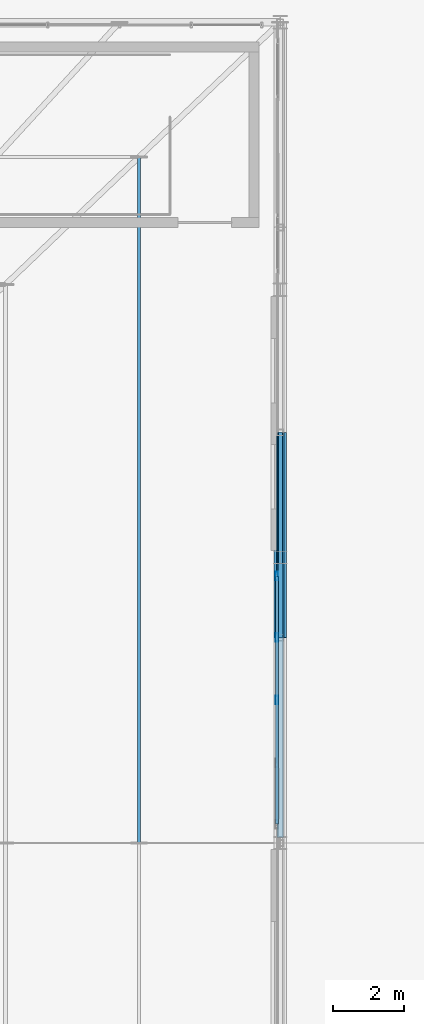
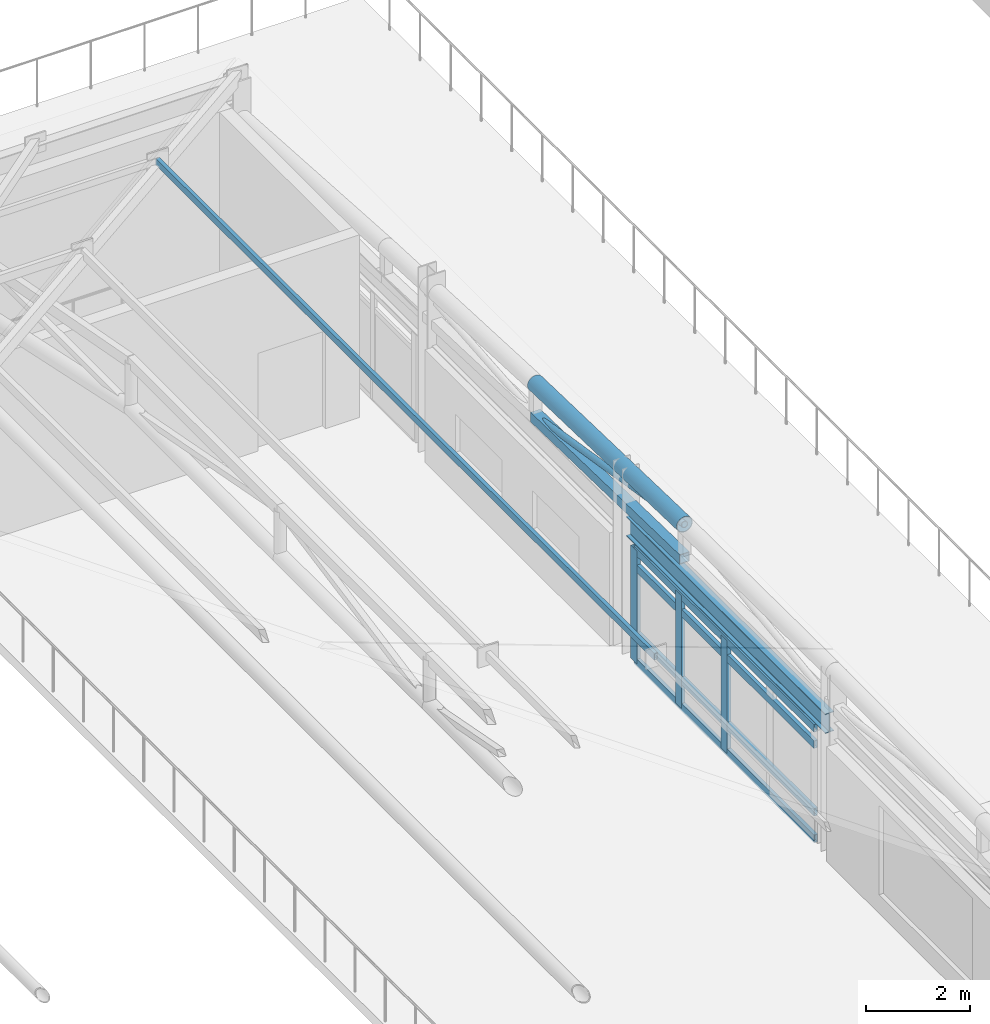
# One storey, part 63 of 168: 10 members, 2 beams, 1 element without a shape of its own.
"""IFC4 building model written with IfcOpenShell, lengths in metres."""

import ifcopenshell
import ifcopenshell.guid

model = None  # the IFC model being written
_history = None  # IfcOwnerHistory: only IFC2X3 demands one
_inside = {}  # id of a spatial element -> (the spatial element, [elements in it])
_under = {}  # id of a project, library or spatial element -> (it, [spatial elements below it])
_declared = {}  # id of a project -> (the project, [libraries it declares])
_typed = {}  # id of a type object -> (the type object, [elements of that type])
_made_of = {}  # id of a material, layer set ... -> (it, [elements and type objects made of it])


def new_model(schema):
    """Start an empty IFC model of exactly this schema.

    Asked for "IFC4X3", IfcOpenShell would pick the latest addendum, in which some entities
    have other attributes; the version numbers below select the first issue.
    IFC2X3 requires an IfcOwnerHistory on every rooted entity: one is made here for all.
    """
    global model, _history
    if schema == "IFC4X3":
        model = ifcopenshell.file(schema_version=(4, 3, 0, 0))
    else:
        model = ifcopenshell.file(schema=schema)
    _inside.clear()
    _under.clear()
    _declared.clear()
    _typed.clear()
    _made_of.clear()
    _history = None
    if model.schema == "IFC2X3":
        org = make("IfcOrganization", Name="unknown")
        user = make(
            "IfcPersonAndOrganization",
            ThePerson=make("IfcPerson", FamilyName="unknown"),
            TheOrganization=org,
        )
        app = make(
            "IfcApplication",
            ApplicationDeveloper=org,
            Version="unknown",
            ApplicationFullName="unknown",
            ApplicationIdentifier="unknown",
        )
        _history = make(
            "IfcOwnerHistory",
            OwningUser=user,
            OwningApplication=app,
            ChangeAction="ADDED",
            CreationDate=0,
        )
    return model


def make(cls, **values):
    """One entity of the class cls with the attributes given. An attribute that is None is left unset."""
    return model.create_entity(
        cls, **{name: value for name, value in values.items() if value is not None}
    )


def rooted(cls, **values):
    """An entity with a GlobalId (a new one), such as an element, a storey or a relation."""
    return make(cls, GlobalId=ifcopenshell.guid.new(), OwnerHistory=_history, **values)


def si_unit(unit_type, name, prefix=None):
    """IfcSIUnit, for example si_unit("LENGTHUNIT", "METRE", prefix="MILLI")."""
    return make("IfcSIUnit", UnitType=unit_type, Prefix=prefix, Name=name)


def assignment(units):
    """IfcUnitAssignment: the units of a project."""
    return None if units is None else make("IfcUnitAssignment", Units=units)


def point(xyz):
    """IfcCartesianPoint."""
    return None if xyz is None else make("IfcCartesianPoint", Coordinates=xyz)


def direction(xyz):
    """IfcDirection."""
    return None if xyz is None else make("IfcDirection", DirectionRatios=xyz)


def frame(location, z_axis=None, x_axis=None):
    """IfcAxis2Placement3D, a coordinate frame: its origin and axes. An axis left out is left unset."""
    return make(
        "IfcAxis2Placement3D",
        Location=point(location),
        Axis=direction(z_axis),
        RefDirection=direction(x_axis),
    )


def frame_2d(location, x_axis=None):
    """IfcAxis2Placement2D, a coordinate frame in the plane: its origin and x axis."""
    return make(
        "IfcAxis2Placement2D", Location=point(location), RefDirection=direction(x_axis)
    )


def origin():
    """The frame at (0, 0, 0) with its axes left unset."""
    return frame((0.0, 0.0, 0.0))


def origin_2d():
    """The frame at (0, 0) in the plane with its x axis left unset."""
    return frame_2d((0.0, 0.0))


def place(relative_to, where):
    """IfcLocalPlacement: puts the frame where relative to a parent placement (None: the world)."""
    return make(
        "IfcLocalPlacement", PlacementRelTo=relative_to, RelativePlacement=where
    )


def context(
    kind, dimensions, precision=None, world=None, true_north=None, identifier=None
):
    """IfcGeometricRepresentationContext, for example the 3D "Model" context."""
    return make(
        "IfcGeometricRepresentationContext",
        ContextIdentifier=identifier,
        ContextType=kind,
        CoordinateSpaceDimension=dimensions,
        Precision=precision,
        WorldCoordinateSystem=world,
        TrueNorth=true_north,
    )


def subcontext(parent, identifier, kind, view, scale=None):
    """IfcGeometricRepresentationSubContext, for example "Body" below "Model"."""
    return make(
        "IfcGeometricRepresentationSubContext",
        ContextIdentifier=identifier,
        ContextType=kind,
        ParentContext=parent,
        TargetScale=scale,
        TargetView=view,
    )


def project(units=None, contexts=None):
    """IfcProject with its units and contexts."""
    return rooted(
        "IfcProject",
        Name="project",
        RepresentationContexts=contexts,
        UnitsInContext=assignment(units),
    )


def spatial(cls, under=None, at=None, **own):
    """A site, building, storey or space (cls), placed at a placement, below another one or the project."""
    s = rooted(cls, ObjectPlacement=at, **own)
    if under is not None:
        _under.setdefault(under.id(), (under, []))[1].append(s)
    return s


def profile(cls, at=None, kind="AREA", **sizes):
    """A parametric profile (cls). Its sizes go by their IFC names, for example OverallWidth=200.0."""
    return make(cls, ProfileType=kind, Position=at, **sizes)


def hollow_rectangle(**sizes):
    """IfcRectangleHollowProfileDef."""
    return profile("IfcRectangleHollowProfileDef", **sizes)


def hollow_circle(**sizes):
    """IfcCircleHollowProfileDef."""
    return profile("IfcCircleHollowProfileDef", **sizes)


def i_section(**sizes):
    """IfcIShapeProfileDef."""
    return profile("IfcIShapeProfileDef", **sizes)


def extrude(swept, where, along, depth):
    """IfcExtrudedAreaSolid: the profile swept, set in the frame where, extruded along a direction by depth."""
    return make(
        "IfcExtrudedAreaSolid",
        SweptArea=swept,
        Position=where,
        ExtrudedDirection=direction(along),
        Depth=depth,
    )


def shape(context_of_items, identifier, shape_type, items):
    """IfcShapeRepresentation: the items that make up one representation, for example the "Body"."""
    return make(
        "IfcShapeRepresentation",
        ContextOfItems=context_of_items,
        RepresentationIdentifier=identifier,
        RepresentationType=shape_type,
        Items=items,
    )


def material(Name=None, Category=None):
    """IfcMaterial."""
    return make("IfcMaterial", Name=Name, Category=Category)


def material_profile(
    of_material, cross_section, Name=None, Category=None, Priority=None
):
    """IfcMaterialProfile: a cross section and its material."""
    return make(
        "IfcMaterialProfile",
        Name=Name,
        Material=of_material,
        Profile=cross_section,
        Priority=Priority,
        Category=Category,
    )


def profile_set(profiles, Name=None, composite=None):
    """IfcMaterialProfileSet."""
    return make(
        "IfcMaterialProfileSet",
        Name=Name,
        MaterialProfiles=profiles,
        CompositeProfile=composite,
    )


def made_of(thing, what):
    """Note that an element or type object is made of a material, layer set ...; save() writes the relation."""
    if what is not None:
        _made_of.setdefault(what.id(), (what, []))[1].append(thing)
    return thing


def type_object(cls, material=None, **own):
    """A type object (cls), such as IfcWallType, which elements share."""
    return made_of(rooted(cls, **own), material)


def element(
    cls,
    number,
    at=None,
    inside=None,
    cuts=None,
    type_object=None,
    material=None,
    context=None,
    identifier="Body",
    shape_type=None,
    held_by="IfcProductDefinitionShape",
    body=None,
    shapes=None,
    **own,
):
    """One element of the class cls, such as IfcWall. Its Tag is "e" and its number.

    at: its placement. inside: the storey or other place that contains it. cuts: it is an
    opening in that element (IfcRelVoidsElement). A single representation is given by context,
    identifier, shape_type and body (its items); several are given by shapes. held_by: the class
    of the entity that holds the representations. save() writes the other relations.
    """
    e = rooted(cls, Tag="e%d" % number, ObjectPlacement=at, **own)
    if body is not None:
        shapes = [shape(context, identifier, shape_type, body)]
    if shapes is not None:
        e.Representation = make(held_by, Representations=shapes)
    if inside is not None:
        _inside.setdefault(inside.id(), (inside, []))[1].append(e)
    if cuts is not None:
        rooted(
            "IfcRelVoidsElement", RelatingBuildingElement=cuts, RelatedOpeningElement=e
        )
    if type_object is not None:
        _typed.setdefault(type_object.id(), (type_object, []))[1].append(e)
    return made_of(e, material)


def aggregate(whole, parts):
    """IfcRelAggregates: a whole, such as a stair, and the parts it consists of."""
    return rooted("IfcRelAggregates", RelatingObject=whole, RelatedObjects=parts)


def save(model, path):
    """Write the relations noted so far, then the file.

    IfcRelAggregates (storeys below a building ...), IfcRelContainedInSpatialStructure (elements
    in a storey), IfcRelDefinesByType, IfcRelAssociatesMaterial and IfcRelDeclares: one each for
    every whole, place, type object, material and project.
    """
    for whole, parts in _under.values():
        aggregate(whole, parts)
    for where, things in _inside.values():
        rooted(
            "IfcRelContainedInSpatialStructure",
            RelatedElements=things,
            RelatingStructure=where,
        )
    for kind, things in _typed.values():
        rooted("IfcRelDefinesByType", RelatedObjects=things, RelatingType=kind)
    for what, things in _made_of.values():
        rooted("IfcRelAssociatesMaterial", RelatedObjects=things, RelatingMaterial=what)
    for by, libraries in _declared.values():
        rooted("IfcRelDeclares", RelatingContext=by, RelatedDefinitions=libraries)
    model.write(path)


model = new_model("IFC4")

# Units and contexts
model_context = context("Model", 3, precision=1e-05, world=origin(), true_north=direction((0.0, 1.0)))
body_context = subcontext(model_context, "Body", "Model", "MODEL_VIEW")
ifc_project = project(units=[si_unit("LENGTHUNIT", "METRE"), si_unit("AREAUNIT", "SQUARE_METRE"), si_unit("VOLUMEUNIT", "CUBIC_METRE"), si_unit("PLANEANGLEUNIT", "RADIAN"), si_unit("MASSUNIT", "GRAM", prefix="KILO"), si_unit("THERMODYNAMICTEMPERATUREUNIT", "KELVIN"), si_unit("POWERUNIT", "WATT")], contexts=[model_context])

# Site, building, storey
site_placement = place(None, origin())
site = spatial("IfcSite", under=ifc_project, at=site_placement, CompositionType="ELEMENT")
building_placement = place(site_placement, origin())
building = spatial("IfcBuilding", under=site, at=building_placement, Name="Tepalcoro Natatorium and Aquatics Centre", CompositionType="ELEMENT")
storey_placement = place(building_placement, frame((0.0, 0.0, 10.199951171875)))
storey = spatial("IfcBuildingStorey", under=building, at=storey_placement, Name="L02", CompositionType="ELEMENT", Elevation=10.199951171875)

# Beam
ifc_material_1 = material(Name="Terracotta Painted Hollow Steel ASTM A500 Grade C (Fy 345 MPa)", Category="masonry")
ifc_material_profile_1 = material_profile(ifc_material_1, hollow_circle(Radius=0.177978515625, WallThickness=0.01611328125, at=origin_2d()), Name="CHS356X16")
ifc_profile_set_1 = profile_set([ifc_material_profile_1], Name="Terracotta Painted Hollow Steel ASTM A500 Grade C (Fy 345 MPa)")
beam_type_1 = type_object("IfcBeamType", Name="AC_CHS356x16", PredefinedType="USERDEFINED", material=ifc_profile_set_1)
beam_1_placement = place(storey_placement, frame((125.0, 41.75, 4.2470703125), z_axis=(0.0, 0.999615859161, -0.027715232508), x_axis=(-1.0, 0.0, 0.0)))
element("IfcBeam", 1, at=beam_1_placement, inside=storey, type_object=beam_type_1, Name="V1 Gable Arched Truss Top Chord 9", ObjectType="ARCH CHORD", PredefinedType="USERDEFINED", context=body_context, shape_type="SweptSolid", body=[
    extrude(hollow_circle(Radius=0.177978515625, WallThickness=0.01611328125, at=origin_2d()), origin(), (0.0, 0.0, 1.0), 5.752197265625),
])

# Curtain wall, members
ifc_material_2 = material(Name="Bronze-Anodised Extruded Aluminium Alloy EN AW-6063 T6", Category="aluminium")
curtain_wall_type = type_object("IfcCurtainWallType", Name="CW_V1_PLINTH", PredefinedType="USERDEFINED", material=ifc_material_2)
curtain_wall_placement = place(storey_placement, origin())
curtain_wall = element("IfcCurtainWall", 2, at=curtain_wall_placement, inside=storey, type_object=curtain_wall_type, Name="V1 L02 E Unitised Curtain Wall Bay 4", ObjectType="UNITISED STOREFRONT", PredefinedType="USERDEFINED")
ifc_material_profile_2 = material_profile(ifc_material_2, hollow_rectangle(XDim=0.080078125, YDim=0.239990234375, WallThickness=0.0048828125, at=origin_2d()), Name="AL80X240X5")
ifc_profile_set_2 = profile_set([ifc_material_profile_2], Name="Bronze-Anodised Extruded Aluminium Alloy EN AW-6063 T6")
member_type_1 = type_object("IfcMemberType", Name="CW_MUL_80x240", PredefinedType="MULLION", material=ifc_profile_set_2)
member_1_placement = place(storey_placement, frame((124.909912109375, 40.0, 0.02001953125), z_axis=(0.0, 0.0, 1.0), x_axis=(1.0, 0.0, 0.0)))
member_1 = element("IfcMember", 3, at=member_1_placement, type_object=member_type_1, Name="CW_V1_PLINTH Curtain Wall Mullion", PredefinedType="MULLION", context=body_context, shape_type="SweptSolid", body=[
    extrude(hollow_rectangle(XDim=0.080078125, YDim=0.239990234375, WallThickness=0.0048828125, at=origin_2d()), origin(), (0.0, 0.0, 1.0), 2.659912109375),
])
member_2_placement = place(storey_placement, frame((124.909912109375, 41.760009765625, 0.02001953125), z_axis=(0.0, 0.0, 1.0), x_axis=(1.0, 0.0, 0.0)))
member_2 = element("IfcMember", 4, at=member_2_placement, type_object=member_type_1, Name="CW_V1_PLINTH Curtain Wall Mullion", PredefinedType="MULLION", context=body_context, shape_type="SweptSolid", body=[
    extrude(hollow_rectangle(XDim=0.080078125, YDim=0.239990234375, WallThickness=0.0048828125, at=origin_2d()), origin(), (0.0, 0.0, 1.0), 2.659912109375),
])
member_3_placement = place(storey_placement, frame((124.909912109375, 43.47998046875, 0.02001953125), z_axis=(0.0, 0.0, 1.0), x_axis=(1.0, 0.0, 0.0)))
member_3 = element("IfcMember", 5, at=member_3_placement, type_object=member_type_1, Name="CW_V1_PLINTH Curtain Wall Mullion", PredefinedType="MULLION", context=body_context, shape_type="SweptSolid", body=[
    extrude(hollow_rectangle(XDim=0.080078125, YDim=0.239990234375, WallThickness=0.0048828125, at=origin_2d()), origin(), (0.0, 0.0, 1.0), 2.659912109375),
])
ifc_material_profile_3 = material_profile(ifc_material_2, hollow_rectangle(XDim=0.080078125, YDim=0.179931640625, WallThickness=0.0048828125, at=origin_2d()), Name="AL80X180X5")
ifc_profile_set_3 = profile_set([ifc_material_profile_3], Name="Bronze-Anodised Extruded Aluminium Alloy EN AW-6063 T6")
member_type_2 = type_object("IfcMemberType", Name="CW_TRN_80x180", PredefinedType="USERDEFINED", material=ifc_profile_set_3)
member_4_placement = place(storey_placement, frame((124.909912109375, 36.530029296875, 0.050048828125), z_axis=(0.0, 1.0, 0.0), x_axis=(-1.0, 0.0, 0.0)))
member_4 = element("IfcMember", 6, at=member_4_placement, type_object=member_type_2, Name="CW_V1_PLINTH Curtain Wall Transom", ObjectType="TRANSOM", PredefinedType="USERDEFINED", context=body_context, shape_type="SweptSolid", body=[
    extrude(hollow_rectangle(XDim=0.080078125, YDim=0.179931640625, WallThickness=0.0048828125, at=origin_2d()), origin(), (0.0, 0.0, 1.0), 6.93994140625),
])
member_5_placement = place(storey_placement, frame((124.909912109375, 36.530029296875, 0.675048828125), z_axis=(0.0, 1.0, 0.0), x_axis=(-1.0, 0.0, 0.0)))
member_5 = element("IfcMember", 7, at=member_5_placement, type_object=member_type_2, Name="CW_V1_PLINTH Curtain Wall Transom", ObjectType="TRANSOM", PredefinedType="USERDEFINED", context=body_context, shape_type="SweptSolid", body=[
    extrude(hollow_rectangle(XDim=0.080078125, YDim=0.179931640625, WallThickness=0.0048828125, at=origin_2d()), origin(), (0.0, 0.0, 1.0), 6.93994140625),
])
member_6_placement = place(storey_placement, frame((124.909912109375, 36.530029296875, 2.26806640625), z_axis=(0.0, 1.0, 0.0), x_axis=(-1.0, 0.0, 0.0)))
member_6 = element("IfcMember", 8, at=member_6_placement, type_object=member_type_2, Name="CW_V1_PLINTH Curtain Wall Transom", ObjectType="TRANSOM", PredefinedType="USERDEFINED", context=body_context, shape_type="SweptSolid", body=[
    extrude(hollow_rectangle(XDim=0.080078125, YDim=0.179931640625, WallThickness=0.0048828125, at=origin_2d()), origin(), (0.0, 0.0, 1.0), 6.93994140625),
])
member_7_placement = place(storey_placement, frame((124.909912109375, 36.530029296875, 2.650146484375), z_axis=(0.0, 1.0, 0.0), x_axis=(-1.0, 0.0, 0.0)))
member_7 = element("IfcMember", 9, at=member_7_placement, type_object=member_type_2, Name="CW_V1_PLINTH Curtain Wall Transom", ObjectType="TRANSOM", PredefinedType="USERDEFINED", context=body_context, shape_type="SweptSolid", body=[
    extrude(hollow_rectangle(XDim=0.080078125, YDim=0.179931640625, WallThickness=0.0048828125, at=origin_2d()), origin(), (0.0, 0.0, 1.0), 6.93994140625),
])
aggregate(curtain_wall, [member_1, member_2, member_3, member_4, member_5, member_6, member_7])

# Members
ifc_material_profile_4 = material_profile(ifc_material_1, hollow_rectangle(XDim=0.219970703125, YDim=0.219970703125, WallThickness=0.011962890625, at=origin_2d()), Name="HSS220X220X12")
ifc_profile_set_4 = profile_set([ifc_material_profile_4], Name="Terracotta Painted Hollow Steel ASTM A500 Grade C (Fy 345 MPa)")
member_type_3 = type_object("IfcMemberType", Name="MB_CH_HSS220x220x12", PredefinedType="CHORD", material=ifc_profile_set_4)
member_8_placement = place(storey_placement, frame((125.0, 41.75, 3.456298828125), z_axis=(0.0, 0.999739199123, -0.022837113159), x_axis=(-1.0, 0.0, 0.0)))
element("IfcMember", 10, at=member_8_placement, inside=storey, type_object=member_type_3, Name="V1 Gable Arched Truss Bottom Chord 9", PredefinedType="CHORD", context=body_context, shape_type="SweptSolid", body=[
    extrude(hollow_rectangle(XDim=0.219970703125, YDim=0.219970703125, WallThickness=0.011962890625, at=origin_2d()), origin(), (0.0, 0.0, 1.0), 5.75146484375),
])
ifc_material_3 = material(Name="Hollow Steel ASTM A500 Grade C (Fy 345 MPa)", Category="steel")
ifc_material_profile_5 = material_profile(ifc_material_3, hollow_rectangle(XDim=0.080078125, YDim=0.159912109375, WallThickness=0.008056640625, at=origin_2d()), Name="HSS160X80X8")
ifc_profile_set_5 = profile_set([ifc_material_profile_5], Name="Hollow Steel ASTM A500 Grade C (Fy 345 MPa)")
member_type_4 = type_object("IfcMemberType", Name="MB_PR_HSS160x80x8", PredefinedType="PURLIN", material=ifc_profile_set_5)
member_9_placement = place(storey_placement, frame((121.0400390625, 36.0, 6.015625), z_axis=(0.0, 1.0, 0.0), x_axis=(-1.0, 0.0, 0.0)))
element("IfcMember", 11, at=member_9_placement, inside=storey, type_object=member_type_4, Name="Pyramid Horizontal Purlin E", PredefinedType="PURLIN", context=body_context, shape_type="SweptSolid", body=[
    extrude(hollow_rectangle(XDim=0.080078125, YDim=0.159912109375, WallThickness=0.008056640625, at=origin_2d()), origin(), (0.0, 0.0, 1.0), 19.219970703125),
])
ifc_material_profile_6 = material_profile(ifc_material_1, hollow_circle(Radius=0.070068359375, WallThickness=0.008056640625, at=origin_2d()), Name="CHS140X8")
ifc_profile_set_6 = profile_set([ifc_material_profile_6], Name="Terracotta Painted Hollow Steel ASTM A500 Grade C (Fy 345 MPa)")
member_type_5 = type_object("IfcMemberType", Name="MB_ST_CHS140x8", PredefinedType="STRUT", material=ifc_profile_set_6)
member_10_placement = place(storey_placement, frame((125.0, 41.75, 4.2470703125), z_axis=(0.0, 0.987383798038, -0.158345304229), x_axis=(-1.0, 0.0, 0.0)))
element("IfcMember", 12, at=member_10_placement, inside=storey, type_object=member_type_5, Name="V1 Arched Truss Web Diagonal 9", PredefinedType="STRUT", context=body_context, shape_type="SweptSolid", body=[
    extrude(hollow_circle(Radius=0.070068359375, WallThickness=0.008056640625, at=origin_2d()), origin(), (0.0, 0.0, 1.0), 5.823486328125),
])

# Beam
ifc_material_4 = material(Name="Steel ASTM A992 Grade 50 (Fy 345 MPa)", Category="steel")
ifc_material_profile_7 = material_profile(ifc_material_4, i_section(OverallWidth=0.19091796875, OverallDepth=0.4599609375, WebThickness=0.010009765625, FlangeThickness=0.01611328125, FilletRadius=0.013916015625, at=origin_2d()), Name="W18X55")
ifc_profile_set_7 = profile_set([ifc_material_profile_7], Name="Steel ASTM A992 Grade 50 (Fy 345 MPa)")
beam_type_2 = type_object("IfcBeamType", Name="SP_W18x55", PredefinedType="SPANDREL", material=ifc_profile_set_7)
beam_2_placement = place(storey_placement, frame((125.0, 36.156982421875, 2.97509765625), z_axis=(0.0, 1.0, 0.0), x_axis=(-1.0, 0.0, 0.0)))
element("IfcBeam", 13, at=beam_2_placement, inside=storey, type_object=beam_type_2, Name="V1 L02 Grid Girder Y", PredefinedType="SPANDREL", context=body_context, shape_type="SweptSolid", body=[
    extrude(i_section(OverallWidth=0.19091796875, OverallDepth=0.4599609375, WebThickness=0.010009765625, FlangeThickness=0.01611328125, FilletRadius=0.013916015625, at=origin_2d()), origin(), (0.0, 0.0, 1.0), 7.679931640625),
])

save(model, "model.ifc")
